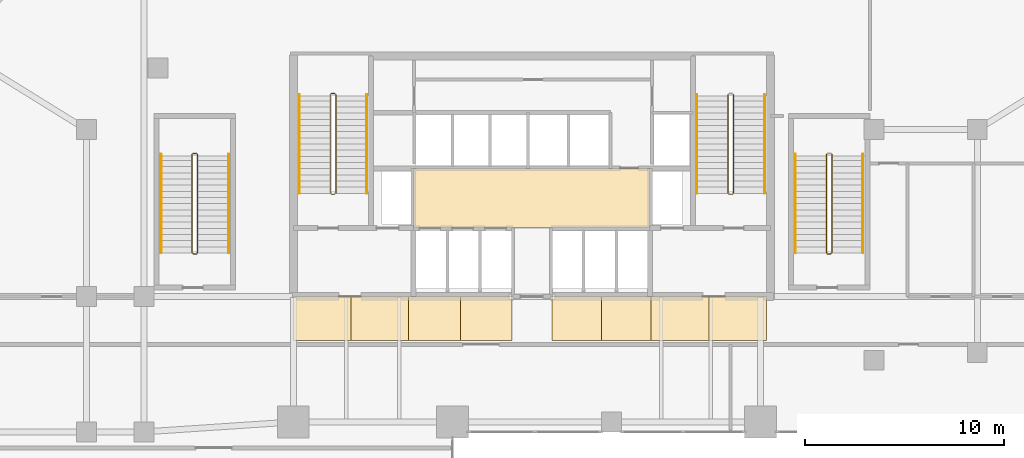
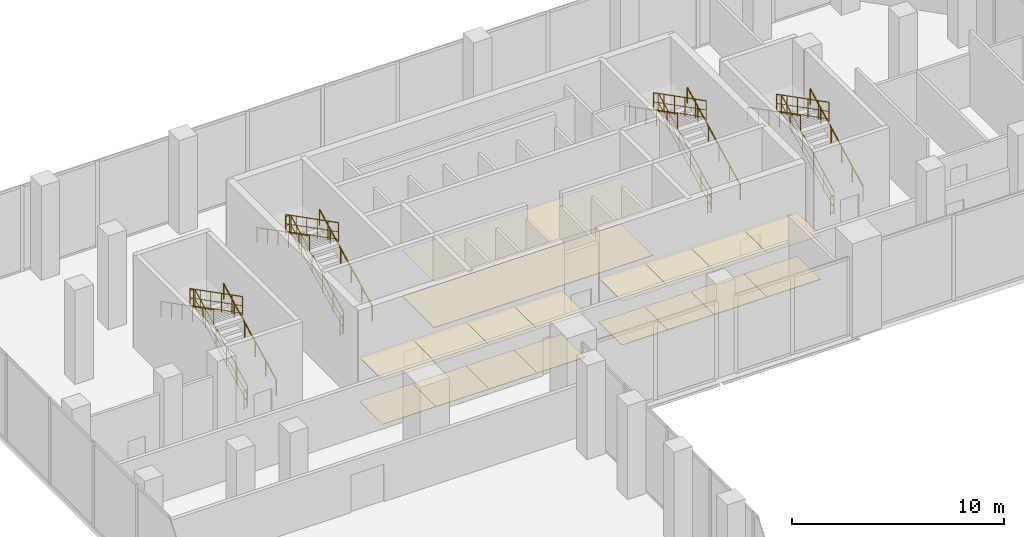
# One storey, part 23 of 24: 22 railings, 18 coverings.
"""IFC4 building model written with IfcOpenShell, lengths in metres."""

from ifc_helpers import new_model, si_unit, direction, frame, origin, origin_2d, place, context, subcontext, project, spatial, polyline, circle, outline, extrude, material, layer, layer_set, type_object, element, save


model = new_model("IFC4")

# Units and contexts
model_context = context("Model", 3, precision=1e-05, world=origin(), true_north=direction((0.0, 1.0)))
body_context = subcontext(model_context, "Body", "Model", "MODEL_VIEW")
ifc_project = project(units=[si_unit("LENGTHUNIT", "METRE"), si_unit("AREAUNIT", "SQUARE_METRE"), si_unit("VOLUMEUNIT", "CUBIC_METRE"), si_unit("PLANEANGLEUNIT", "RADIAN"), si_unit("MASSUNIT", "GRAM", prefix="KILO")], contexts=[model_context])

# Site, building, storey
site_placement = place(None, origin())
site = spatial("IfcSite", under=ifc_project, at=site_placement, CompositionType="ELEMENT")
building_placement = place(site_placement, origin())
building = spatial("IfcBuilding", under=site, at=building_placement, Name="Catumbela Crestline Tower", CompositionType="ELEMENT")
storey_placement = place(building_placement, frame((0.0, 0.0, 15.9)))
storey = spatial("IfcBuildingStorey", under=building, at=storey_placement, Name="L03", CompositionType="ELEMENT", Elevation=15.9)

# Coverings
ifc_material_1 = material(Name="Mineral-fibre acoustic ceiling")
ifc_layer_1 = layer(ifc_material_1, 0.03, Name="Mineral-fibre acoustic ceiling")
ifc_layer_set_1 = layer_set([ifc_layer_1], Name="Mineral-fibre acoustic ceiling")
covering_type_1 = type_object("IfcCoveringType", Name="CC-AC", PredefinedType="CEILING", material=ifc_layer_set_1)
covering_1_placement = place(storey_placement, frame((0.0, 0.0, 2.65)))
element("IfcCovering", 1, at=covering_1_placement, inside=storey, type_object=covering_type_1, Name="L03 Lift Lobby Acoustic Ceiling", PredefinedType="CEILING", context=body_context, shape_type="SweptSolid", body=[
    extrude(outline(polyline([(22.05, 34.25), (33.95, 34.25), (33.95, 37.25), (22.05, 37.25), (22.05, 34.25)])), origin(), (0.0, 0.0, 1.0), 0.03),
])
covering_2_placement = place(storey_placement, frame((0.0, 0.0, 2.52)))
element("IfcCovering", 2, at=covering_2_placement, inside=storey, type_object=covering_type_1, Name="L03 Corridor Acoustic Ceiling Bay 1", PredefinedType="CEILING", context=body_context, shape_type="SweptSolid", body=[
    extrude(outline(polyline([(16.0, 28.6), (18.9, 28.6), (18.9, 30.8), (16.0, 30.8), (16.0, 28.6)])), origin(), (0.0, 0.0, 1.0), 0.03),
])
covering_3_placement = place(storey_placement, frame((0.0, 0.0, 2.52)))
element("IfcCovering", 3, at=covering_3_placement, inside=storey, type_object=covering_type_1, Name="L03 Corridor Acoustic Ceiling Bay 2", PredefinedType="CEILING", context=body_context, shape_type="SweptSolid", body=[
    extrude(outline(polyline([(18.9, 28.6), (21.8, 28.6), (21.8, 30.8), (18.9, 30.8), (18.9, 28.6)])), origin(), (0.0, 0.0, 1.0), 0.03),
])
covering_4_placement = place(storey_placement, frame((0.0, 0.0, 2.52)))
element("IfcCovering", 4, at=covering_4_placement, inside=storey, type_object=covering_type_1, Name="L03 Corridor Acoustic Ceiling Bay 3", PredefinedType="CEILING", context=body_context, shape_type="SweptSolid", body=[
    extrude(outline(polyline([(21.8, 28.6), (24.4, 28.6), (24.4, 30.8), (21.8, 30.8), (21.8, 28.6)])), origin(), (0.0, 0.0, 1.0), 0.03),
])
covering_5_placement = place(storey_placement, frame((0.0, 0.0, 2.52)))
element("IfcCovering", 5, at=covering_5_placement, inside=storey, type_object=covering_type_1, Name="L03 Corridor Acoustic Ceiling Bay 4", PredefinedType="CEILING", context=body_context, shape_type="SweptSolid", body=[
    extrude(outline(polyline([(24.4, 28.6), (27.0, 28.6), (27.0, 30.8), (24.4, 30.8), (24.4, 28.6)])), origin(), (0.0, 0.0, 1.0), 0.03),
])
covering_6_placement = place(storey_placement, frame((0.0, 0.0, 2.52)))
element("IfcCovering", 6, at=covering_6_placement, inside=storey, type_object=covering_type_1, Name="L03 Corridor Acoustic Ceiling Bay 5", PredefinedType="CEILING", context=body_context, shape_type="SweptSolid", body=[
    extrude(outline(polyline([(29.0, 28.6), (31.5, 28.6), (31.5, 30.8), (29.0, 30.8), (29.0, 28.6)])), origin(), (0.0, 0.0, 1.0), 0.03),
])
covering_7_placement = place(storey_placement, frame((0.0, 0.0, 2.52)))
element("IfcCovering", 7, at=covering_7_placement, inside=storey, type_object=covering_type_1, Name="L03 Corridor Acoustic Ceiling Bay 6", PredefinedType="CEILING", context=body_context, shape_type="SweptSolid", body=[
    extrude(outline(polyline([(31.5, 28.6), (34.0, 28.6), (34.0, 30.8), (31.5, 30.8), (31.5, 28.6)])), origin(), (0.0, 0.0, 1.0), 0.03),
])
covering_8_placement = place(storey_placement, frame((0.0, 0.0, 2.52)))
element("IfcCovering", 8, at=covering_8_placement, inside=storey, type_object=covering_type_1, Name="L03 Corridor Acoustic Ceiling Bay 7", PredefinedType="CEILING", context=body_context, shape_type="SweptSolid", body=[
    extrude(outline(polyline([(34.0, 28.6), (36.9, 28.6), (36.9, 30.8), (34.0, 30.8), (34.0, 28.6)])), origin(), (0.0, 0.0, 1.0), 0.03),
])
covering_9_placement = place(storey_placement, frame((0.0, 0.0, 2.52)))
element("IfcCovering", 9, at=covering_9_placement, inside=storey, type_object=covering_type_1, Name="L03 Corridor Acoustic Ceiling Bay 8", PredefinedType="CEILING", context=body_context, shape_type="SweptSolid", body=[
    extrude(outline(polyline([(36.9, 28.6), (39.8, 28.6), (39.8, 30.8), (36.9, 30.8), (36.9, 28.6)])), origin(), (0.0, 0.0, 1.0), 0.03),
])
ifc_material_2 = material(Name="Angolan grey-ochre granite", Category="masonry")
ifc_layer_2 = layer(ifc_material_2, 0.025, Name="Angolan grey-ochre granite")
ifc_layer_set_2 = layer_set([ifc_layer_2], Name="Angolan grey-ochre granite")
covering_type_2 = type_object("IfcCoveringType", Name="CF-GR", PredefinedType="FLOORING", material=ifc_layer_set_2)
covering_10_placement = place(storey_placement, origin())
element("IfcCovering", 10, at=covering_10_placement, inside=storey, type_object=covering_type_2, Name="L03 Corridor Granite Flooring Bay 1", PredefinedType="FLOORING", context=body_context, shape_type="SweptSolid", body=[
    extrude(outline(polyline([(16.0, 28.6), (18.9, 28.6), (18.9, 30.8), (16.0, 30.8), (16.0, 28.6)])), origin(), (0.0, 0.0, 1.0), 0.025),
])
covering_11_placement = place(storey_placement, origin())
element("IfcCovering", 11, at=covering_11_placement, inside=storey, type_object=covering_type_2, Name="L03 Corridor Granite Flooring Bay 2", PredefinedType="FLOORING", context=body_context, shape_type="SweptSolid", body=[
    extrude(outline(polyline([(18.9, 28.6), (21.8, 28.6), (21.8, 30.8), (18.9, 30.8), (18.9, 28.6)])), origin(), (0.0, 0.0, 1.0), 0.025),
])
covering_12_placement = place(storey_placement, origin())
element("IfcCovering", 12, at=covering_12_placement, inside=storey, type_object=covering_type_2, Name="L03 Corridor Granite Flooring Bay 3", PredefinedType="FLOORING", context=body_context, shape_type="SweptSolid", body=[
    extrude(outline(polyline([(21.8, 28.6), (24.4, 28.6), (24.4, 30.8), (21.8, 30.8), (21.8, 28.6)])), origin(), (0.0, 0.0, 1.0), 0.025),
])
covering_13_placement = place(storey_placement, origin())
element("IfcCovering", 13, at=covering_13_placement, inside=storey, type_object=covering_type_2, Name="L03 Corridor Granite Flooring Bay 4", PredefinedType="FLOORING", context=body_context, shape_type="SweptSolid", body=[
    extrude(outline(polyline([(24.4, 28.6), (27.0, 28.6), (27.0, 30.8), (24.4, 30.8), (24.4, 28.6)])), origin(), (0.0, 0.0, 1.0), 0.025),
])
covering_14_placement = place(storey_placement, origin())
element("IfcCovering", 14, at=covering_14_placement, inside=storey, type_object=covering_type_2, Name="L03 Corridor Granite Flooring Bay 5", PredefinedType="FLOORING", context=body_context, shape_type="SweptSolid", body=[
    extrude(outline(polyline([(29.0, 28.6), (31.5, 28.6), (31.5, 30.8), (29.0, 30.8), (29.0, 28.6)])), origin(), (0.0, 0.0, 1.0), 0.025),
])
covering_15_placement = place(storey_placement, origin())
element("IfcCovering", 15, at=covering_15_placement, inside=storey, type_object=covering_type_2, Name="L03 Corridor Granite Flooring Bay 6", PredefinedType="FLOORING", context=body_context, shape_type="SweptSolid", body=[
    extrude(outline(polyline([(31.5, 28.6), (34.0, 28.6), (34.0, 30.8), (31.5, 30.8), (31.5, 28.6)])), origin(), (0.0, 0.0, 1.0), 0.025),
])
covering_16_placement = place(storey_placement, origin())
element("IfcCovering", 16, at=covering_16_placement, inside=storey, type_object=covering_type_2, Name="L03 Corridor Granite Flooring Bay 7", PredefinedType="FLOORING", context=body_context, shape_type="SweptSolid", body=[
    extrude(outline(polyline([(34.0, 28.6), (36.9, 28.6), (36.9, 30.8), (34.0, 30.8), (34.0, 28.6)])), origin(), (0.0, 0.0, 1.0), 0.025),
])
covering_17_placement = place(storey_placement, origin())
element("IfcCovering", 17, at=covering_17_placement, inside=storey, type_object=covering_type_2, Name="L03 Corridor Granite Flooring Bay 8", PredefinedType="FLOORING", context=body_context, shape_type="SweptSolid", body=[
    extrude(outline(polyline([(36.9, 28.6), (39.8, 28.6), (39.8, 30.8), (36.9, 30.8), (36.9, 28.6)])), origin(), (0.0, 0.0, 1.0), 0.025),
])
covering_18_placement = place(storey_placement, origin())
element("IfcCovering", 18, at=covering_18_placement, inside=storey, type_object=covering_type_2, Name="L03 Lift Lobby Granite Flooring", PredefinedType="FLOORING", context=body_context, shape_type="SweptSolid", body=[
    extrude(outline(polyline([(22.05, 34.25), (33.95, 34.25), (33.95, 37.25), (22.05, 37.25), (22.05, 34.25)])), origin(), (0.0, 0.0, 1.0), 0.025),
])

# Railings
ifc_material_3 = material(Name="Stainless steel EN 1.4401", Category="steel")
railing_type_1 = type_object("IfcRailingType", Name="RG-1100", PredefinedType="GUARDRAIL", material=ifc_material_3)
railing_1_placement = place(storey_placement, frame((18.14, 36.0, 0.1588)))
element("IfcRailing", 19, at=railing_1_placement, inside=storey, type_object=railing_type_1, Name="L03 ST-01 stair guard 1", PredefinedType="GUARDRAIL", context=body_context, shape_type="SweptSolid", body=[
    extrude(circle(Radius=0.024, at=origin_2d()), frame((0.0, 0.0, 1.076), z_axis=(0.0, 0.889991507646, 0.455977100651), x_axis=(-1.0, 0.0, 0.0)), (0.0, 0.0, 1.0), 5.5731),
    extrude(circle(Radius=0.0156, at=origin_2d()), frame((0.0, 0.0, 0.55), z_axis=(0.0, 0.889991507646, 0.455977100651), x_axis=(-1.0, 0.0, 0.0)), (0.0, 0.0, 1.0), 5.5731),
    extrude(circle(Radius=0.0156, at=origin_2d()), frame((0.0, 0.0, 0.12), z_axis=(0.0, 0.889991507646, 0.455977100651), x_axis=(-1.0, 0.0, 0.0)), (0.0, 0.0, 1.0), 5.5731),
    extrude(circle(Radius=0.021, at=origin_2d()), origin(), (0.0, 0.0, 1.0), 1.052),
    extrude(circle(Radius=0.021, at=origin_2d()), frame((0.0, 0.992, 0.5082)), (0.0, 0.0, 1.0), 1.052),
    extrude(circle(Radius=0.021, at=origin_2d()), frame((0.0, 1.984, 1.0165)), (0.0, 0.0, 1.0), 1.052),
    extrude(circle(Radius=0.021, at=origin_2d()), frame((0.0, 2.976, 1.5247)), (0.0, 0.0, 1.0), 1.052),
    extrude(circle(Radius=0.021, at=origin_2d()), frame((0.0, 3.968, 2.033)), (0.0, 0.0, 1.0), 1.052),
    extrude(circle(Radius=0.021, at=origin_2d()), frame((0.0, 4.96, 2.5412)), (0.0, 0.0, 1.0), 1.052),
])
railing_2_placement = place(storey_placement, frame((18.09, 41.01, 2.7)))
element("IfcRailing", 20, at=railing_2_placement, inside=storey, type_object=railing_type_1, Name="L03 ST-01 stair guard 2", PredefinedType="GUARDRAIL", context=body_context, shape_type="SweptSolid", body=[
    extrude(circle(Radius=0.024, at=origin_2d()), frame((0.0, 0.0, 1.076), z_axis=(-1.0, 0.0, 0.0), x_axis=(0.0, -1.0, 0.0)), (0.0, 0.0, 1.0), 0.18),
    extrude(circle(Radius=0.0156, at=origin_2d()), frame((0.0, 0.0, 0.55), z_axis=(-1.0, 0.0, 0.0), x_axis=(0.0, -1.0, 0.0)), (0.0, 0.0, 1.0), 0.18),
    extrude(circle(Radius=0.0156, at=origin_2d()), frame((0.0, 0.0, 0.12), z_axis=(-1.0, 0.0, 0.0), x_axis=(0.0, -1.0, 0.0)), (0.0, 0.0, 1.0), 0.18),
    extrude(circle(Radius=0.021, at=origin_2d()), origin(), (0.0, 0.0, 1.0), 1.052),
    extrude(circle(Radius=0.021, at=origin_2d()), frame((-0.18, 0.0, 0.0)), (0.0, 0.0, 1.0), 1.052),
])
railing_3_placement = place(storey_placement, frame((17.86, 40.96, 2.8588)))
element("IfcRailing", 21, at=railing_3_placement, inside=storey, type_object=railing_type_1, Name="L03 ST-01 stair guard 3", PredefinedType="GUARDRAIL", context=body_context, shape_type="SweptSolid", body=[
    extrude(circle(Radius=0.024, at=origin_2d()), frame((0.0, 0.0, 1.076), z_axis=(0.0, -0.889991507646, 0.455977100651), x_axis=(1.0, 0.0, 0.0)), (0.0, 0.0, 1.0), 5.5731),
    extrude(circle(Radius=0.0156, at=origin_2d()), frame((0.0, 0.0, 0.55), z_axis=(0.0, -0.889991507646, 0.455977100651), x_axis=(1.0, 0.0, 0.0)), (0.0, 0.0, 1.0), 5.5731),
    extrude(circle(Radius=0.0156, at=origin_2d()), frame((0.0, 0.0, 0.12), z_axis=(0.0, -0.889991507646, 0.455977100651), x_axis=(1.0, 0.0, 0.0)), (0.0, 0.0, 1.0), 5.5731),
    extrude(circle(Radius=0.021, at=origin_2d()), origin(), (0.0, 0.0, 1.0), 1.052),
    extrude(circle(Radius=0.021, at=origin_2d()), frame((0.0, -0.992, 0.5082)), (0.0, 0.0, 1.0), 1.052),
    extrude(circle(Radius=0.021, at=origin_2d()), frame((0.0, -1.984, 1.0165)), (0.0, 0.0, 1.0), 1.052),
    extrude(circle(Radius=0.021, at=origin_2d()), frame((0.0, -2.976, 1.5247)), (0.0, 0.0, 1.0), 1.052),
    extrude(circle(Radius=0.021, at=origin_2d()), frame((0.0, -3.968, 2.033)), (0.0, 0.0, 1.0), 1.052),
    extrude(circle(Radius=0.021, at=origin_2d()), frame((0.0, -4.96, 2.5412)), (0.0, 0.0, 1.0), 1.052),
])
railing_4_placement = place(storey_placement, frame((18.09, 35.95, 0.0)))
element("IfcRailing", 22, at=railing_4_placement, inside=storey, type_object=railing_type_1, Name="L03 ST-01 stair guard 4", PredefinedType="GUARDRAIL", context=body_context, shape_type="SweptSolid", body=[
    extrude(circle(Radius=0.024, at=origin_2d()), frame((0.0, 0.0, 1.076), z_axis=(-1.0, 0.0, 0.0), x_axis=(0.0, -1.0, 0.0)), (0.0, 0.0, 1.0), 0.18),
    extrude(circle(Radius=0.0156, at=origin_2d()), frame((0.0, 0.0, 0.55), z_axis=(-1.0, 0.0, 0.0), x_axis=(0.0, -1.0, 0.0)), (0.0, 0.0, 1.0), 0.18),
    extrude(circle(Radius=0.0156, at=origin_2d()), frame((0.0, 0.0, 0.12), z_axis=(-1.0, 0.0, 0.0), x_axis=(0.0, -1.0, 0.0)), (0.0, 0.0, 1.0), 0.18),
    extrude(circle(Radius=0.021, at=origin_2d()), origin(), (0.0, 0.0, 1.0), 1.052),
    extrude(circle(Radius=0.021, at=origin_2d()), frame((-0.18, 0.0, 0.0)), (0.0, 0.0, 1.0), 1.052),
])
railing_5_placement = place(storey_placement, frame((38.14, 36.0, 0.1588)))
element("IfcRailing", 23, at=railing_5_placement, inside=storey, type_object=railing_type_1, Name="L03 ST-02 stair guard 1", PredefinedType="GUARDRAIL", context=body_context, shape_type="SweptSolid", body=[
    extrude(circle(Radius=0.024, at=origin_2d()), frame((0.0, 0.0, 1.076), z_axis=(0.0, 0.889991507646, 0.455977100651), x_axis=(-1.0, 0.0, 0.0)), (0.0, 0.0, 1.0), 5.5731),
    extrude(circle(Radius=0.0156, at=origin_2d()), frame((0.0, 0.0, 0.55), z_axis=(0.0, 0.889991507646, 0.455977100651), x_axis=(-1.0, 0.0, 0.0)), (0.0, 0.0, 1.0), 5.5731),
    extrude(circle(Radius=0.0156, at=origin_2d()), frame((0.0, 0.0, 0.12), z_axis=(0.0, 0.889991507646, 0.455977100651), x_axis=(-1.0, 0.0, 0.0)), (0.0, 0.0, 1.0), 5.5731),
    extrude(circle(Radius=0.021, at=origin_2d()), origin(), (0.0, 0.0, 1.0), 1.052),
    extrude(circle(Radius=0.021, at=origin_2d()), frame((0.0, 0.992, 0.5082)), (0.0, 0.0, 1.0), 1.052),
    extrude(circle(Radius=0.021, at=origin_2d()), frame((0.0, 1.984, 1.0165)), (0.0, 0.0, 1.0), 1.052),
    extrude(circle(Radius=0.021, at=origin_2d()), frame((0.0, 2.976, 1.5247)), (0.0, 0.0, 1.0), 1.052),
    extrude(circle(Radius=0.021, at=origin_2d()), frame((0.0, 3.968, 2.033)), (0.0, 0.0, 1.0), 1.052),
    extrude(circle(Radius=0.021, at=origin_2d()), frame((0.0, 4.96, 2.5412)), (0.0, 0.0, 1.0), 1.052),
])
railing_6_placement = place(storey_placement, frame((37.86, 40.96, 2.8588)))
element("IfcRailing", 24, at=railing_6_placement, inside=storey, type_object=railing_type_1, Name="L03 ST-02 stair guard 3", PredefinedType="GUARDRAIL", context=body_context, shape_type="SweptSolid", body=[
    extrude(circle(Radius=0.024, at=origin_2d()), frame((0.0, 0.0, 1.076), z_axis=(0.0, -0.889991507646, 0.455977100651), x_axis=(1.0, 0.0, 0.0)), (0.0, 0.0, 1.0), 5.5731),
    extrude(circle(Radius=0.0156, at=origin_2d()), frame((0.0, 0.0, 0.55), z_axis=(0.0, -0.889991507646, 0.455977100651), x_axis=(1.0, 0.0, 0.0)), (0.0, 0.0, 1.0), 5.5731),
    extrude(circle(Radius=0.0156, at=origin_2d()), frame((0.0, 0.0, 0.12), z_axis=(0.0, -0.889991507646, 0.455977100651), x_axis=(1.0, 0.0, 0.0)), (0.0, 0.0, 1.0), 5.5731),
    extrude(circle(Radius=0.021, at=origin_2d()), origin(), (0.0, 0.0, 1.0), 1.052),
    extrude(circle(Radius=0.021, at=origin_2d()), frame((0.0, -0.992, 0.5082)), (0.0, 0.0, 1.0), 1.052),
    extrude(circle(Radius=0.021, at=origin_2d()), frame((0.0, -1.984, 1.0165)), (0.0, 0.0, 1.0), 1.052),
    extrude(circle(Radius=0.021, at=origin_2d()), frame((0.0, -2.976, 1.5247)), (0.0, 0.0, 1.0), 1.052),
    extrude(circle(Radius=0.021, at=origin_2d()), frame((0.0, -3.968, 2.033)), (0.0, 0.0, 1.0), 1.052),
    extrude(circle(Radius=0.021, at=origin_2d()), frame((0.0, -4.96, 2.5412)), (0.0, 0.0, 1.0), 1.052),
])
railing_7_placement = place(storey_placement, frame((38.09, 35.95, 0.0)))
element("IfcRailing", 25, at=railing_7_placement, inside=storey, type_object=railing_type_1, Name="L03 ST-02 stair guard 4", PredefinedType="GUARDRAIL", context=body_context, shape_type="SweptSolid", body=[
    extrude(circle(Radius=0.024, at=origin_2d()), frame((0.0, 0.0, 1.076), z_axis=(-1.0, 0.0, 0.0), x_axis=(0.0, -1.0, 0.0)), (0.0, 0.0, 1.0), 0.18),
    extrude(circle(Radius=0.0156, at=origin_2d()), frame((0.0, 0.0, 0.55), z_axis=(-1.0, 0.0, 0.0), x_axis=(0.0, -1.0, 0.0)), (0.0, 0.0, 1.0), 0.18),
    extrude(circle(Radius=0.0156, at=origin_2d()), frame((0.0, 0.0, 0.12), z_axis=(-1.0, 0.0, 0.0), x_axis=(0.0, -1.0, 0.0)), (0.0, 0.0, 1.0), 0.18),
    extrude(circle(Radius=0.021, at=origin_2d()), origin(), (0.0, 0.0, 1.0), 1.052),
    extrude(circle(Radius=0.021, at=origin_2d()), frame((-0.18, 0.0, 0.0)), (0.0, 0.0, 1.0), 1.052),
])
railing_8_placement = place(storey_placement, frame((11.19, 33.0, 0.1588)))
element("IfcRailing", 26, at=railing_8_placement, inside=storey, type_object=railing_type_1, Name="L03 ST-03 stair guard 1", PredefinedType="GUARDRAIL", context=body_context, shape_type="SweptSolid", body=[
    extrude(circle(Radius=0.024, at=origin_2d()), frame((0.0, 0.0, 1.076), z_axis=(0.0, 0.889991507646, 0.455977100651), x_axis=(-1.0, 0.0, 0.0)), (0.0, 0.0, 1.0), 5.5731),
    extrude(circle(Radius=0.0156, at=origin_2d()), frame((0.0, 0.0, 0.55), z_axis=(0.0, 0.889991507646, 0.455977100651), x_axis=(-1.0, 0.0, 0.0)), (0.0, 0.0, 1.0), 5.5731),
    extrude(circle(Radius=0.0156, at=origin_2d()), frame((0.0, 0.0, 0.12), z_axis=(0.0, 0.889991507646, 0.455977100651), x_axis=(-1.0, 0.0, 0.0)), (0.0, 0.0, 1.0), 5.5731),
    extrude(circle(Radius=0.021, at=origin_2d()), origin(), (0.0, 0.0, 1.0), 1.052),
    extrude(circle(Radius=0.021, at=origin_2d()), frame((0.0, 0.992, 0.5082)), (0.0, 0.0, 1.0), 1.052),
    extrude(circle(Radius=0.021, at=origin_2d()), frame((0.0, 1.984, 1.0165)), (0.0, 0.0, 1.0), 1.052),
    extrude(circle(Radius=0.021, at=origin_2d()), frame((0.0, 2.976, 1.5247)), (0.0, 0.0, 1.0), 1.052),
    extrude(circle(Radius=0.021, at=origin_2d()), frame((0.0, 3.968, 2.033)), (0.0, 0.0, 1.0), 1.052),
    extrude(circle(Radius=0.021, at=origin_2d()), frame((0.0, 4.96, 2.5412)), (0.0, 0.0, 1.0), 1.052),
])
railing_9_placement = place(storey_placement, frame((11.14, 38.01, 2.7)))
element("IfcRailing", 27, at=railing_9_placement, inside=storey, type_object=railing_type_1, Name="L03 ST-03 stair guard 2", PredefinedType="GUARDRAIL", context=body_context, shape_type="SweptSolid", body=[
    extrude(circle(Radius=0.024, at=origin_2d()), frame((0.0, 0.0, 1.076), z_axis=(-1.0, 0.0, 0.0), x_axis=(0.0, -1.0, 0.0)), (0.0, 0.0, 1.0), 0.18),
    extrude(circle(Radius=0.0156, at=origin_2d()), frame((0.0, 0.0, 0.55), z_axis=(-1.0, 0.0, 0.0), x_axis=(0.0, -1.0, 0.0)), (0.0, 0.0, 1.0), 0.18),
    extrude(circle(Radius=0.0156, at=origin_2d()), frame((0.0, 0.0, 0.12), z_axis=(-1.0, 0.0, 0.0), x_axis=(0.0, -1.0, 0.0)), (0.0, 0.0, 1.0), 0.18),
    extrude(circle(Radius=0.021, at=origin_2d()), origin(), (0.0, 0.0, 1.0), 1.052),
    extrude(circle(Radius=0.021, at=origin_2d()), frame((-0.18, 0.0, 0.0)), (0.0, 0.0, 1.0), 1.052),
])
railing_10_placement = place(storey_placement, frame((10.91, 37.96, 2.8588)))
element("IfcRailing", 28, at=railing_10_placement, inside=storey, type_object=railing_type_1, Name="L03 ST-03 stair guard 3", PredefinedType="GUARDRAIL", context=body_context, shape_type="SweptSolid", body=[
    extrude(circle(Radius=0.024, at=origin_2d()), frame((0.0, 0.0, 1.076), z_axis=(0.0, -0.889991507646, 0.455977100651), x_axis=(1.0, 0.0, 0.0)), (0.0, 0.0, 1.0), 5.5731),
    extrude(circle(Radius=0.0156, at=origin_2d()), frame((0.0, 0.0, 0.55), z_axis=(0.0, -0.889991507646, 0.455977100651), x_axis=(1.0, 0.0, 0.0)), (0.0, 0.0, 1.0), 5.5731),
    extrude(circle(Radius=0.0156, at=origin_2d()), frame((0.0, 0.0, 0.12), z_axis=(0.0, -0.889991507646, 0.455977100651), x_axis=(1.0, 0.0, 0.0)), (0.0, 0.0, 1.0), 5.5731),
    extrude(circle(Radius=0.021, at=origin_2d()), origin(), (0.0, 0.0, 1.0), 1.052),
    extrude(circle(Radius=0.021, at=origin_2d()), frame((0.0, -0.992, 0.5082)), (0.0, 0.0, 1.0), 1.052),
    extrude(circle(Radius=0.021, at=origin_2d()), frame((0.0, -1.984, 1.0165)), (0.0, 0.0, 1.0), 1.052),
    extrude(circle(Radius=0.021, at=origin_2d()), frame((0.0, -2.976, 1.5247)), (0.0, 0.0, 1.0), 1.052),
    extrude(circle(Radius=0.021, at=origin_2d()), frame((0.0, -3.968, 2.033)), (0.0, 0.0, 1.0), 1.052),
    extrude(circle(Radius=0.021, at=origin_2d()), frame((0.0, -4.96, 2.5412)), (0.0, 0.0, 1.0), 1.052),
])
railing_11_placement = place(storey_placement, frame((11.14, 32.95, 0.0)))
element("IfcRailing", 29, at=railing_11_placement, inside=storey, type_object=railing_type_1, Name="L03 ST-03 stair guard 4", PredefinedType="GUARDRAIL", context=body_context, shape_type="SweptSolid", body=[
    extrude(circle(Radius=0.024, at=origin_2d()), frame((0.0, 0.0, 1.076), z_axis=(-1.0, 0.0, 0.0), x_axis=(0.0, -1.0, 0.0)), (0.0, 0.0, 1.0), 0.18),
    extrude(circle(Radius=0.0156, at=origin_2d()), frame((0.0, 0.0, 0.55), z_axis=(-1.0, 0.0, 0.0), x_axis=(0.0, -1.0, 0.0)), (0.0, 0.0, 1.0), 0.18),
    extrude(circle(Radius=0.0156, at=origin_2d()), frame((0.0, 0.0, 0.12), z_axis=(-1.0, 0.0, 0.0), x_axis=(0.0, -1.0, 0.0)), (0.0, 0.0, 1.0), 0.18),
    extrude(circle(Radius=0.021, at=origin_2d()), origin(), (0.0, 0.0, 1.0), 1.052),
    extrude(circle(Radius=0.021, at=origin_2d()), frame((-0.18, 0.0, 0.0)), (0.0, 0.0, 1.0), 1.052),
])
railing_12_placement = place(storey_placement, frame((43.09, 33.0, 0.1588)))
element("IfcRailing", 30, at=railing_12_placement, inside=storey, type_object=railing_type_1, Name="L03 ST-04 stair guard 1", PredefinedType="GUARDRAIL", context=body_context, shape_type="SweptSolid", body=[
    extrude(circle(Radius=0.024, at=origin_2d()), frame((0.0, 0.0, 1.076), z_axis=(0.0, 0.889991507646, 0.455977100651), x_axis=(-1.0, 0.0, 0.0)), (0.0, 0.0, 1.0), 5.5731),
    extrude(circle(Radius=0.0156, at=origin_2d()), frame((0.0, 0.0, 0.55), z_axis=(0.0, 0.889991507646, 0.455977100651), x_axis=(-1.0, 0.0, 0.0)), (0.0, 0.0, 1.0), 5.5731),
    extrude(circle(Radius=0.0156, at=origin_2d()), frame((0.0, 0.0, 0.12), z_axis=(0.0, 0.889991507646, 0.455977100651), x_axis=(-1.0, 0.0, 0.0)), (0.0, 0.0, 1.0), 5.5731),
    extrude(circle(Radius=0.021, at=origin_2d()), origin(), (0.0, 0.0, 1.0), 1.052),
    extrude(circle(Radius=0.021, at=origin_2d()), frame((0.0, 0.992, 0.5082)), (0.0, 0.0, 1.0), 1.052),
    extrude(circle(Radius=0.021, at=origin_2d()), frame((0.0, 1.984, 1.0165)), (0.0, 0.0, 1.0), 1.052),
    extrude(circle(Radius=0.021, at=origin_2d()), frame((0.0, 2.976, 1.5247)), (0.0, 0.0, 1.0), 1.052),
    extrude(circle(Radius=0.021, at=origin_2d()), frame((0.0, 3.968, 2.033)), (0.0, 0.0, 1.0), 1.052),
    extrude(circle(Radius=0.021, at=origin_2d()), frame((0.0, 4.96, 2.5412)), (0.0, 0.0, 1.0), 1.052),
])
railing_13_placement = place(storey_placement, frame((42.81, 37.96, 2.8588)))
element("IfcRailing", 31, at=railing_13_placement, inside=storey, type_object=railing_type_1, Name="L03 ST-04 stair guard 3", PredefinedType="GUARDRAIL", context=body_context, shape_type="SweptSolid", body=[
    extrude(circle(Radius=0.024, at=origin_2d()), frame((0.0, 0.0, 1.076), z_axis=(0.0, -0.889991507646, 0.455977100651), x_axis=(1.0, 0.0, 0.0)), (0.0, 0.0, 1.0), 5.5731),
    extrude(circle(Radius=0.0156, at=origin_2d()), frame((0.0, 0.0, 0.55), z_axis=(0.0, -0.889991507646, 0.455977100651), x_axis=(1.0, 0.0, 0.0)), (0.0, 0.0, 1.0), 5.5731),
    extrude(circle(Radius=0.0156, at=origin_2d()), frame((0.0, 0.0, 0.12), z_axis=(0.0, -0.889991507646, 0.455977100651), x_axis=(1.0, 0.0, 0.0)), (0.0, 0.0, 1.0), 5.5731),
    extrude(circle(Radius=0.021, at=origin_2d()), origin(), (0.0, 0.0, 1.0), 1.052),
    extrude(circle(Radius=0.021, at=origin_2d()), frame((0.0, -0.992, 0.5082)), (0.0, 0.0, 1.0), 1.052),
    extrude(circle(Radius=0.021, at=origin_2d()), frame((0.0, -1.984, 1.0165)), (0.0, 0.0, 1.0), 1.052),
    extrude(circle(Radius=0.021, at=origin_2d()), frame((0.0, -2.976, 1.5247)), (0.0, 0.0, 1.0), 1.052),
    extrude(circle(Radius=0.021, at=origin_2d()), frame((0.0, -3.968, 2.033)), (0.0, 0.0, 1.0), 1.052),
    extrude(circle(Radius=0.021, at=origin_2d()), frame((0.0, -4.96, 2.5412)), (0.0, 0.0, 1.0), 1.052),
])
railing_14_placement = place(storey_placement, frame((43.04, 32.95, 0.0)))
element("IfcRailing", 32, at=railing_14_placement, inside=storey, type_object=railing_type_1, Name="L03 ST-04 stair guard 4", PredefinedType="GUARDRAIL", context=body_context, shape_type="SweptSolid", body=[
    extrude(circle(Radius=0.024, at=origin_2d()), frame((0.0, 0.0, 1.076), z_axis=(-1.0, 0.0, 0.0), x_axis=(0.0, -1.0, 0.0)), (0.0, 0.0, 1.0), 0.18),
    extrude(circle(Radius=0.0156, at=origin_2d()), frame((0.0, 0.0, 0.55), z_axis=(-1.0, 0.0, 0.0), x_axis=(0.0, -1.0, 0.0)), (0.0, 0.0, 1.0), 0.18),
    extrude(circle(Radius=0.0156, at=origin_2d()), frame((0.0, 0.0, 0.12), z_axis=(-1.0, 0.0, 0.0), x_axis=(0.0, -1.0, 0.0)), (0.0, 0.0, 1.0), 0.18),
    extrude(circle(Radius=0.021, at=origin_2d()), origin(), (0.0, 0.0, 1.0), 1.052),
    extrude(circle(Radius=0.021, at=origin_2d()), frame((-0.18, 0.0, 0.0)), (0.0, 0.0, 1.0), 1.052),
])
railing_type_2 = type_object("IfcRailingType", Name="RH-0900", PredefinedType="HANDRAIL", material=ifc_material_3)
railing_15_placement = place(storey_placement, frame((19.7, 36.0, 0.1588)))
element("IfcRailing", 33, at=railing_15_placement, inside=storey, type_object=railing_type_2, Name="L03 ST-01 stair handrail 1", PredefinedType="HANDRAIL", context=body_context, shape_type="SweptSolid", body=[
    extrude(circle(Radius=0.024, at=origin_2d()), frame((0.0, 0.0, 0.876), z_axis=(0.0, 0.889991507646, 0.455977100651), x_axis=(-1.0, 0.0, 0.0)), (0.0, 0.0, 1.0), 5.5731),
    extrude(circle(Radius=0.021, at=origin_2d()), origin(), (0.0, 0.0, 1.0), 0.852),
    extrude(circle(Radius=0.021, at=origin_2d()), frame((0.0, 0.992, 0.5082)), (0.0, 0.0, 1.0), 0.852),
    extrude(circle(Radius=0.021, at=origin_2d()), frame((0.0, 1.984, 1.0165)), (0.0, 0.0, 1.0), 0.852),
    extrude(circle(Radius=0.021, at=origin_2d()), frame((0.0, 2.976, 1.5247)), (0.0, 0.0, 1.0), 0.852),
    extrude(circle(Radius=0.021, at=origin_2d()), frame((0.0, 3.968, 2.033)), (0.0, 0.0, 1.0), 0.852),
    extrude(circle(Radius=0.021, at=origin_2d()), frame((0.0, 4.96, 2.5412)), (0.0, 0.0, 1.0), 0.852),
])
railing_16_placement = place(storey_placement, frame((16.3, 40.96, 2.8588)))
element("IfcRailing", 34, at=railing_16_placement, inside=storey, type_object=railing_type_2, Name="L03 ST-01 stair handrail 2", PredefinedType="HANDRAIL", context=body_context, shape_type="SweptSolid", body=[
    extrude(circle(Radius=0.024, at=origin_2d()), frame((0.0, 0.0, 0.876), z_axis=(0.0, -0.889991507646, 0.455977100651), x_axis=(1.0, 0.0, 0.0)), (0.0, 0.0, 1.0), 5.5731),
    extrude(circle(Radius=0.021, at=origin_2d()), origin(), (0.0, 0.0, 1.0), 0.852),
    extrude(circle(Radius=0.021, at=origin_2d()), frame((0.0, -0.992, 0.5082)), (0.0, 0.0, 1.0), 0.852),
    extrude(circle(Radius=0.021, at=origin_2d()), frame((0.0, -1.984, 1.0165)), (0.0, 0.0, 1.0), 0.852),
    extrude(circle(Radius=0.021, at=origin_2d()), frame((0.0, -2.976, 1.5247)), (0.0, 0.0, 1.0), 0.852),
    extrude(circle(Radius=0.021, at=origin_2d()), frame((0.0, -3.968, 2.033)), (0.0, 0.0, 1.0), 0.852),
    extrude(circle(Radius=0.021, at=origin_2d()), frame((0.0, -4.96, 2.5412)), (0.0, 0.0, 1.0), 0.852),
])
railing_17_placement = place(storey_placement, frame((39.7, 36.0, 0.1588)))
element("IfcRailing", 35, at=railing_17_placement, inside=storey, type_object=railing_type_2, Name="L03 ST-02 stair handrail 1", PredefinedType="HANDRAIL", context=body_context, shape_type="SweptSolid", body=[
    extrude(circle(Radius=0.024, at=origin_2d()), frame((0.0, 0.0, 0.876), z_axis=(0.0, 0.889991507646, 0.455977100651), x_axis=(-1.0, 0.0, 0.0)), (0.0, 0.0, 1.0), 5.5731),
    extrude(circle(Radius=0.021, at=origin_2d()), origin(), (0.0, 0.0, 1.0), 0.852),
    extrude(circle(Radius=0.021, at=origin_2d()), frame((0.0, 0.992, 0.5082)), (0.0, 0.0, 1.0), 0.852),
    extrude(circle(Radius=0.021, at=origin_2d()), frame((0.0, 1.984, 1.0165)), (0.0, 0.0, 1.0), 0.852),
    extrude(circle(Radius=0.021, at=origin_2d()), frame((0.0, 2.976, 1.5247)), (0.0, 0.0, 1.0), 0.852),
    extrude(circle(Radius=0.021, at=origin_2d()), frame((0.0, 3.968, 2.033)), (0.0, 0.0, 1.0), 0.852),
    extrude(circle(Radius=0.021, at=origin_2d()), frame((0.0, 4.96, 2.5412)), (0.0, 0.0, 1.0), 0.852),
])
railing_18_placement = place(storey_placement, frame((36.3, 40.96, 2.8588)))
element("IfcRailing", 36, at=railing_18_placement, inside=storey, type_object=railing_type_2, Name="L03 ST-02 stair handrail 2", PredefinedType="HANDRAIL", context=body_context, shape_type="SweptSolid", body=[
    extrude(circle(Radius=0.024, at=origin_2d()), frame((0.0, 0.0, 0.876), z_axis=(0.0, -0.889991507646, 0.455977100651), x_axis=(1.0, 0.0, 0.0)), (0.0, 0.0, 1.0), 5.5731),
    extrude(circle(Radius=0.021, at=origin_2d()), origin(), (0.0, 0.0, 1.0), 0.852),
    extrude(circle(Radius=0.021, at=origin_2d()), frame((0.0, -0.992, 0.5082)), (0.0, 0.0, 1.0), 0.852),
    extrude(circle(Radius=0.021, at=origin_2d()), frame((0.0, -1.984, 1.0165)), (0.0, 0.0, 1.0), 0.852),
    extrude(circle(Radius=0.021, at=origin_2d()), frame((0.0, -2.976, 1.5247)), (0.0, 0.0, 1.0), 0.852),
    extrude(circle(Radius=0.021, at=origin_2d()), frame((0.0, -3.968, 2.033)), (0.0, 0.0, 1.0), 0.852),
    extrude(circle(Radius=0.021, at=origin_2d()), frame((0.0, -4.96, 2.5412)), (0.0, 0.0, 1.0), 0.852),
])
railing_19_placement = place(storey_placement, frame((12.75, 33.0, 0.1588)))
element("IfcRailing", 37, at=railing_19_placement, inside=storey, type_object=railing_type_2, Name="L03 ST-03 stair handrail 1", PredefinedType="HANDRAIL", context=body_context, shape_type="SweptSolid", body=[
    extrude(circle(Radius=0.024, at=origin_2d()), frame((0.0, 0.0, 0.876), z_axis=(0.0, 0.889991507646, 0.455977100651), x_axis=(-1.0, 0.0, 0.0)), (0.0, 0.0, 1.0), 5.5731),
    extrude(circle(Radius=0.021, at=origin_2d()), origin(), (0.0, 0.0, 1.0), 0.852),
    extrude(circle(Radius=0.021, at=origin_2d()), frame((0.0, 0.992, 0.5082)), (0.0, 0.0, 1.0), 0.852),
    extrude(circle(Radius=0.021, at=origin_2d()), frame((0.0, 1.984, 1.0165)), (0.0, 0.0, 1.0), 0.852),
    extrude(circle(Radius=0.021, at=origin_2d()), frame((0.0, 2.976, 1.5247)), (0.0, 0.0, 1.0), 0.852),
    extrude(circle(Radius=0.021, at=origin_2d()), frame((0.0, 3.968, 2.033)), (0.0, 0.0, 1.0), 0.852),
    extrude(circle(Radius=0.021, at=origin_2d()), frame((0.0, 4.96, 2.5412)), (0.0, 0.0, 1.0), 0.852),
])
railing_20_placement = place(storey_placement, frame((9.35, 37.96, 2.8588)))
element("IfcRailing", 38, at=railing_20_placement, inside=storey, type_object=railing_type_2, Name="L03 ST-03 stair handrail 2", PredefinedType="HANDRAIL", context=body_context, shape_type="SweptSolid", body=[
    extrude(circle(Radius=0.024, at=origin_2d()), frame((0.0, 0.0, 0.876), z_axis=(0.0, -0.889991507646, 0.455977100651), x_axis=(1.0, 0.0, 0.0)), (0.0, 0.0, 1.0), 5.5731),
    extrude(circle(Radius=0.021, at=origin_2d()), origin(), (0.0, 0.0, 1.0), 0.852),
    extrude(circle(Radius=0.021, at=origin_2d()), frame((0.0, -0.992, 0.5082)), (0.0, 0.0, 1.0), 0.852),
    extrude(circle(Radius=0.021, at=origin_2d()), frame((0.0, -1.984, 1.0165)), (0.0, 0.0, 1.0), 0.852),
    extrude(circle(Radius=0.021, at=origin_2d()), frame((0.0, -2.976, 1.5247)), (0.0, 0.0, 1.0), 0.852),
    extrude(circle(Radius=0.021, at=origin_2d()), frame((0.0, -3.968, 2.033)), (0.0, 0.0, 1.0), 0.852),
    extrude(circle(Radius=0.021, at=origin_2d()), frame((0.0, -4.96, 2.5412)), (0.0, 0.0, 1.0), 0.852),
])
railing_21_placement = place(storey_placement, frame((44.65, 33.0, 0.1588)))
element("IfcRailing", 39, at=railing_21_placement, inside=storey, type_object=railing_type_2, Name="L03 ST-04 stair handrail 1", PredefinedType="HANDRAIL", context=body_context, shape_type="SweptSolid", body=[
    extrude(circle(Radius=0.024, at=origin_2d()), frame((0.0, 0.0, 0.876), z_axis=(0.0, 0.889991507646, 0.455977100651), x_axis=(-1.0, 0.0, 0.0)), (0.0, 0.0, 1.0), 5.5731),
    extrude(circle(Radius=0.021, at=origin_2d()), origin(), (0.0, 0.0, 1.0), 0.852),
    extrude(circle(Radius=0.021, at=origin_2d()), frame((0.0, 0.992, 0.5082)), (0.0, 0.0, 1.0), 0.852),
    extrude(circle(Radius=0.021, at=origin_2d()), frame((0.0, 1.984, 1.0165)), (0.0, 0.0, 1.0), 0.852),
    extrude(circle(Radius=0.021, at=origin_2d()), frame((0.0, 2.976, 1.5247)), (0.0, 0.0, 1.0), 0.852),
    extrude(circle(Radius=0.021, at=origin_2d()), frame((0.0, 3.968, 2.033)), (0.0, 0.0, 1.0), 0.852),
    extrude(circle(Radius=0.021, at=origin_2d()), frame((0.0, 4.96, 2.5412)), (0.0, 0.0, 1.0), 0.852),
])
railing_22_placement = place(storey_placement, frame((41.25, 37.96, 2.8588)))
element("IfcRailing", 40, at=railing_22_placement, inside=storey, type_object=railing_type_2, Name="L03 ST-04 stair handrail 2", PredefinedType="HANDRAIL", context=body_context, shape_type="SweptSolid", body=[
    extrude(circle(Radius=0.024, at=origin_2d()), frame((0.0, 0.0, 0.876), z_axis=(0.0, -0.889991507646, 0.455977100651), x_axis=(1.0, 0.0, 0.0)), (0.0, 0.0, 1.0), 5.5731),
    extrude(circle(Radius=0.021, at=origin_2d()), origin(), (0.0, 0.0, 1.0), 0.852),
    extrude(circle(Radius=0.021, at=origin_2d()), frame((0.0, -0.992, 0.5082)), (0.0, 0.0, 1.0), 0.852),
    extrude(circle(Radius=0.021, at=origin_2d()), frame((0.0, -1.984, 1.0165)), (0.0, 0.0, 1.0), 0.852),
    extrude(circle(Radius=0.021, at=origin_2d()), frame((0.0, -2.976, 1.5247)), (0.0, 0.0, 1.0), 0.852),
    extrude(circle(Radius=0.021, at=origin_2d()), frame((0.0, -3.968, 2.033)), (0.0, 0.0, 1.0), 0.852),
    extrude(circle(Radius=0.021, at=origin_2d()), frame((0.0, -4.96, 2.5412)), (0.0, 0.0, 1.0), 0.852),
])

save(model, "model.ifc")
